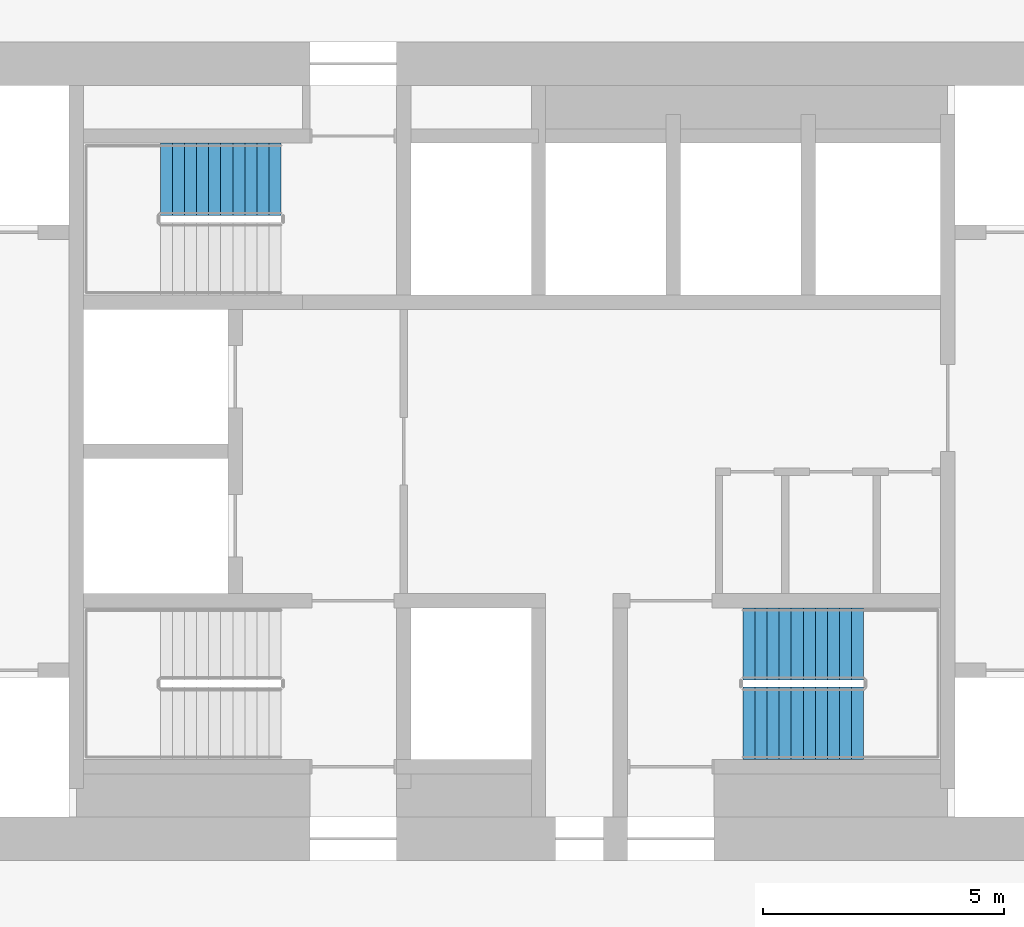
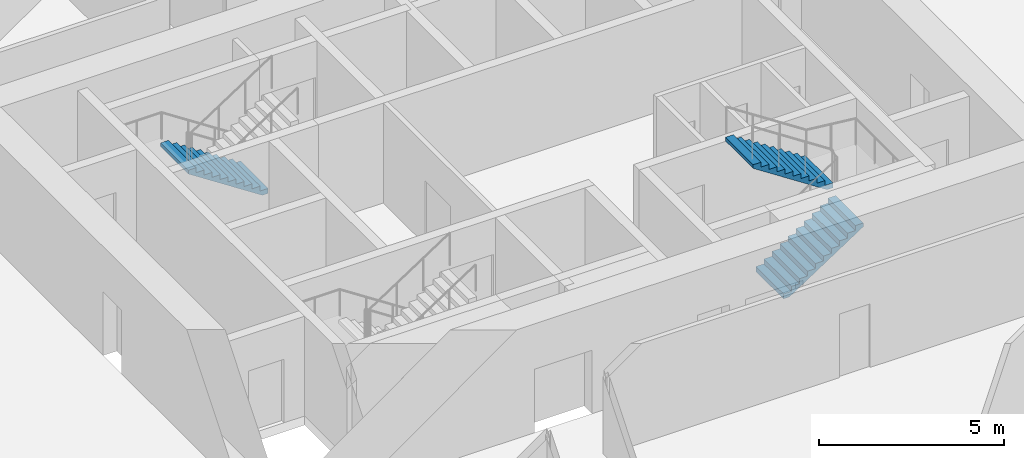
# One storey, part 8 of 9: 3 stair flights, 2 elements without a shape of their own.
"""IFC4 building model written with IfcOpenShell, lengths in metres."""

from ifc_helpers import new_model, si_unit, direction, frame, origin, place, context, subcontext, project, spatial, polyline, outline, extrude, material, type_object, element, aggregate, save


model = new_model("IFC4")

# Units and contexts
model_context = context("Model", 3, precision=1e-05, world=origin(), true_north=direction((0.0, 1.0)))
body_context = subcontext(model_context, "Body", "Model", "MODEL_VIEW")
ifc_project = project(units=[si_unit("LENGTHUNIT", "METRE"), si_unit("AREAUNIT", "SQUARE_METRE"), si_unit("VOLUMEUNIT", "CUBIC_METRE"), si_unit("PLANEANGLEUNIT", "RADIAN"), si_unit("MASSUNIT", "GRAM", prefix="KILO")], contexts=[model_context])

# Site, building, storey
site_placement = place(None, origin())
site = spatial("IfcSite", under=ifc_project, at=site_placement, CompositionType="ELEMENT")
building_placement = place(site_placement, origin())
building = spatial("IfcBuilding", under=site, at=building_placement, Name="Tracery Tower", CompositionType="ELEMENT")
storey_placement = place(building_placement, frame((0.0, 0.0, 154.800048828125)))
storey = spatial("IfcBuildingStorey", under=building, at=storey_placement, Name="L39", CompositionType="ELEMENT", Elevation=154.800048828125)

# Stair, stair flight
ifc_material_1 = material(Name="Concrete C32/40", Category="concrete")
stair_type = type_object("IfcStairType", Name="Core stair 22 risers", PredefinedType="HALF_TURN_STAIR", material=ifc_material_1)
stair_1_placement = place(storey_placement, origin())
stair_1 = element("IfcStair", 1, at=stair_1_placement, inside=storey, type_object=stair_type, Name="L39 stair ST3", PredefinedType="HALF_TURN_STAIR")
ifc_material_2 = material(Name="Concrete C32/40", Category="concrete")
stair_flight_type = type_object("IfcStairFlightType", Name="Core stair flight 11 risers", PredefinedType="STRAIGHT", material=ifc_material_2)
stair_flight_1_placement = place(storey_placement, frame((-4.800048828125, 5.64990234375, 0.0), z_axis=(0.0, 0.0, 1.0), x_axis=(-1.0, 0.0, 0.0)))
stair_flight_1 = element("IfcStairFlight", 2, at=stair_flight_1_placement, type_object=stair_flight_type, Name="ST3 flight 1", NumberOfRisers=11, NumberOfTreads=10, PredefinedType="STRAIGHT", RiserHeight=0.163636364, TreadLength=0.25, context=body_context, shape_type="SweptSolid", body=[
    extrude(outline(polyline([(0.0, 0.0), (0.0, 0.002685546875), (0.0, 0.00537109375), (0.0, 0.008056640625), (0.0, 0.0107421875), (0.0, 0.013427734375), (0.0, 0.01611328125), (0.0, 0.018798828125), (0.0, 0.021484375), (0.0, 0.024169921875), (0.0, 0.02685546875), (0.0, 0.029541015625), (0.0, 0.0322265625), (0.0, 0.034912109375), (0.0, 0.03759765625), (0.0, 0.040283203125), (0.0, 0.04296875), (0.0, 0.045654296875), (0.0, 0.04833984375), (0.0, 0.051025390625), (0.0, 0.0537109375), (0.0, 0.056396484375), (0.0, 0.05908203125), (0.0, 0.061767578125), (0.0, 0.064453125), (0.0, 0.067138671875), (0.0, 0.06982421875), (0.0, 0.072509765625), (0.0, 0.0751953125), (0.0, 0.077880859375), (0.0, 0.08056640625), (0.0, 0.083251953125), (0.0, 0.0859375), (0.0, 0.088623046875), (0.0, 0.09130859375), (0.0, 0.093994140625), (0.0, 0.0966796875), (0.0, 0.099365234375), (0.0, 0.10205078125), (0.0, 0.104736328125), (0.0, 0.107421875), (0.0, 0.10986328125), (0.0, 0.112548828125), (0.0, 0.115234375), (0.0, 0.117919921875), (0.0, 0.12060546875), (0.0, 0.123291015625), (0.0, 0.1259765625), (0.0, 0.128662109375), (0.0, 0.13134765625), (0.0, 0.134033203125), (0.0, 0.13671875), (0.0, 0.139404296875), (0.0, 0.14208984375), (0.0, 0.144775390625), (0.0, 0.1474609375), (0.0, 0.150146484375), (0.0, 0.15283203125), (0.0, 0.155517578125), (0.0, 0.158203125), (0.0, 0.160888671875), (0.0, 0.16357421875), (0.25, 0.16357421875), (0.25, 0.327392578125), (0.5, 0.327392578125), (0.5, 0.490966796875), (0.75, 0.490966796875), (0.75, 0.654541015625), (1.0, 0.654541015625), (1.0, 0.818115234375), (1.25, 0.818115234375), (1.25, 0.98193359375), (1.5, 0.98193359375), (1.5, 1.1455078125), (1.75, 1.1455078125), (1.75, 1.30908203125), (2.0, 1.30908203125), (2.0, 1.47265625), (2.25, 1.47265625), (2.25, 1.636474609375), (2.5, 1.636474609375), (2.5, 1.634521484375), (2.5, 1.63232421875), (2.5, 1.63037109375), (2.5, 1.62841796875), (2.5, 1.62646484375), (2.5, 1.62451171875), (2.5, 1.62255859375), (2.5, 1.62060546875), (2.5, 1.61865234375), (2.5, 1.61669921875), (2.5, 1.61474609375), (2.5, 1.61279296875), (2.5, 1.61083984375), (2.5, 1.60888671875), (2.5, 1.60693359375), (2.5, 1.60498046875), (2.5, 1.60302734375), (2.5, 1.60107421875), (2.5, 1.59912109375), (2.5, 1.59716796875), (2.5, 1.59521484375), (2.5, 1.59326171875), (2.5, 1.59130859375), (2.5, 1.58935546875), (2.5, 1.58740234375), (2.5, 1.58544921875), (2.5, 1.58349609375), (2.5, 1.58154296875), (2.5, 1.57958984375), (2.5, 1.57763671875), (2.5, 1.57568359375), (2.5, 1.573486328125), (2.5, 1.571533203125), (2.5, 1.569580078125), (2.5, 1.567626953125), (2.5, 1.565673828125), (2.5, 1.563720703125), (2.5, 1.561767578125), (2.5, 1.559814453125), (2.5, 1.557861328125), (2.5, 1.555908203125), (2.5, 1.553955078125), (2.5, 1.552001953125), (2.5, 1.550048828125), (2.5, 1.548095703125), (2.5, 1.546142578125), (2.5, 1.544189453125), (2.5, 1.542236328125), (2.5, 1.540283203125), (2.5, 1.538330078125), (2.5, 1.536376953125), (2.5, 1.534423828125), (2.5, 1.532470703125), (2.5, 1.530517578125), (2.5, 1.528564453125), (2.5, 1.526611328125), (2.5, 1.524658203125), (2.5, 1.522705078125), (2.5, 1.520751953125), (2.5, 1.518798828125), (2.5, 1.516845703125), (0.182861328125, 0.0), (0.0, 0.0)])), frame((0.0, 0.75, 0.0), z_axis=(0.0, -1.0, 0.0), x_axis=(1.0, 0.0, 0.0)), (0.0, 0.0, 1.0), 1.5),
])
aggregate(stair_1, [stair_flight_1])

# Stair, stair flights
stair_2_placement = place(storey_placement, origin())
stair_2 = element("IfcStair", 3, at=stair_2_placement, inside=storey, type_object=stair_type, Name="L39 stair ST2", PredefinedType="HALF_TURN_STAIR")
stair_flight_2_placement = place(storey_placement, frame((4.800048828125, -5.64990234375, 0.0), z_axis=(0.0, 0.0, 1.0), x_axis=(1.0, 0.0, 0.0)))
stair_flight_2 = element("IfcStairFlight", 4, at=stair_flight_2_placement, type_object=stair_flight_type, Name="ST2 flight 1", NumberOfRisers=11, NumberOfTreads=10, PredefinedType="STRAIGHT", RiserHeight=0.163636364, TreadLength=0.25, context=body_context, shape_type="SweptSolid", body=[
    extrude(outline(polyline([(0.0, 0.0), (0.0, 0.002685546875), (0.0, 0.00537109375), (0.0, 0.008056640625), (0.0, 0.0107421875), (0.0, 0.013427734375), (0.0, 0.01611328125), (0.0, 0.018798828125), (0.0, 0.021484375), (0.0, 0.024169921875), (0.0, 0.02685546875), (0.0, 0.029541015625), (0.0, 0.0322265625), (0.0, 0.034912109375), (0.0, 0.03759765625), (0.0, 0.040283203125), (0.0, 0.04296875), (0.0, 0.045654296875), (0.0, 0.04833984375), (0.0, 0.051025390625), (0.0, 0.0537109375), (0.0, 0.056396484375), (0.0, 0.05908203125), (0.0, 0.061767578125), (0.0, 0.064453125), (0.0, 0.067138671875), (0.0, 0.06982421875), (0.0, 0.072509765625), (0.0, 0.0751953125), (0.0, 0.077880859375), (0.0, 0.08056640625), (0.0, 0.083251953125), (0.0, 0.0859375), (0.0, 0.088623046875), (0.0, 0.09130859375), (0.0, 0.093994140625), (0.0, 0.0966796875), (0.0, 0.099365234375), (0.0, 0.10205078125), (0.0, 0.104736328125), (0.0, 0.107421875), (0.0, 0.10986328125), (0.0, 0.112548828125), (0.0, 0.115234375), (0.0, 0.117919921875), (0.0, 0.12060546875), (0.0, 0.123291015625), (0.0, 0.1259765625), (0.0, 0.128662109375), (0.0, 0.13134765625), (0.0, 0.134033203125), (0.0, 0.13671875), (0.0, 0.139404296875), (0.0, 0.14208984375), (0.0, 0.144775390625), (0.0, 0.1474609375), (0.0, 0.150146484375), (0.0, 0.15283203125), (0.0, 0.155517578125), (0.0, 0.158203125), (0.0, 0.160888671875), (0.0, 0.16357421875), (0.25, 0.16357421875), (0.25, 0.327392578125), (0.5, 0.327392578125), (0.5, 0.490966796875), (0.75, 0.490966796875), (0.75, 0.654541015625), (1.0, 0.654541015625), (1.0, 0.818115234375), (1.25, 0.818115234375), (1.25, 0.98193359375), (1.5, 0.98193359375), (1.5, 1.1455078125), (1.75, 1.1455078125), (1.75, 1.30908203125), (2.0, 1.30908203125), (2.0, 1.47265625), (2.25, 1.47265625), (2.25, 1.636474609375), (2.5, 1.636474609375), (2.5, 1.634521484375), (2.5, 1.63232421875), (2.5, 1.63037109375), (2.5, 1.62841796875), (2.5, 1.62646484375), (2.5, 1.62451171875), (2.5, 1.62255859375), (2.5, 1.62060546875), (2.5, 1.61865234375), (2.5, 1.61669921875), (2.5, 1.61474609375), (2.5, 1.61279296875), (2.5, 1.61083984375), (2.5, 1.60888671875), (2.5, 1.60693359375), (2.5, 1.60498046875), (2.5, 1.60302734375), (2.5, 1.60107421875), (2.5, 1.59912109375), (2.5, 1.59716796875), (2.5, 1.59521484375), (2.5, 1.59326171875), (2.5, 1.59130859375), (2.5, 1.58935546875), (2.5, 1.58740234375), (2.5, 1.58544921875), (2.5, 1.58349609375), (2.5, 1.58154296875), (2.5, 1.57958984375), (2.5, 1.57763671875), (2.5, 1.57568359375), (2.5, 1.573486328125), (2.5, 1.571533203125), (2.5, 1.569580078125), (2.5, 1.567626953125), (2.5, 1.565673828125), (2.5, 1.563720703125), (2.5, 1.561767578125), (2.5, 1.559814453125), (2.5, 1.557861328125), (2.5, 1.555908203125), (2.5, 1.553955078125), (2.5, 1.552001953125), (2.5, 1.550048828125), (2.5, 1.548095703125), (2.5, 1.546142578125), (2.5, 1.544189453125), (2.5, 1.542236328125), (2.5, 1.540283203125), (2.5, 1.538330078125), (2.5, 1.536376953125), (2.5, 1.534423828125), (2.5, 1.532470703125), (2.5, 1.530517578125), (2.5, 1.528564453125), (2.5, 1.526611328125), (2.5, 1.524658203125), (2.5, 1.522705078125), (2.5, 1.520751953125), (2.5, 1.518798828125), (2.5, 1.516845703125), (0.182861328125, 0.0), (0.0, 0.0)])), frame((0.0, 0.75, 0.0), z_axis=(0.0, -1.0, 0.0), x_axis=(1.0, 0.0, 0.0)), (0.0, 0.0, 1.0), 1.5),
])
stair_flight_3_placement = place(storey_placement, frame((7.300048828125, -4.0, 1.800048828125), z_axis=(0.0, 0.0, 1.0), x_axis=(-1.0, 0.0, 0.0)))
stair_flight_3 = element("IfcStairFlight", 5, at=stair_flight_3_placement, type_object=stair_flight_type, Name="ST2 flight 2", NumberOfRisers=11, NumberOfTreads=10, PredefinedType="STRAIGHT", RiserHeight=0.163636364, TreadLength=0.25, context=body_context, shape_type="SweptSolid", body=[
    extrude(outline(polyline([(0.0, 0.0), (0.0, 0.002685546875), (0.0, 0.00537109375), (0.0, 0.008056640625), (0.0, 0.0107421875), (0.0, 0.013427734375), (0.0, 0.01611328125), (0.0, 0.018798828125), (0.0, 0.021484375), (0.0, 0.024169921875), (0.0, 0.02685546875), (0.0, 0.029541015625), (0.0, 0.0322265625), (0.0, 0.034912109375), (0.0, 0.03759765625), (0.0, 0.040283203125), (0.0, 0.04296875), (0.0, 0.045654296875), (0.0, 0.04833984375), (0.0, 0.051025390625), (0.0, 0.0537109375), (0.0, 0.056396484375), (0.0, 0.05908203125), (0.0, 0.061767578125), (0.0, 0.064453125), (0.0, 0.067138671875), (0.0, 0.06982421875), (0.0, 0.072509765625), (0.0, 0.0751953125), (0.0, 0.077880859375), (0.0, 0.08056640625), (0.0, 0.083251953125), (0.0, 0.0859375), (0.0, 0.088623046875), (0.0, 0.09130859375), (0.0, 0.093994140625), (0.0, 0.0966796875), (0.0, 0.099365234375), (0.0, 0.10205078125), (0.0, 0.104736328125), (0.0, 0.107421875), (0.0, 0.10986328125), (0.0, 0.112548828125), (0.0, 0.115234375), (0.0, 0.117919921875), (0.0, 0.12060546875), (0.0, 0.123291015625), (0.0, 0.1259765625), (0.0, 0.128662109375), (0.0, 0.13134765625), (0.0, 0.134033203125), (0.0, 0.13671875), (0.0, 0.139404296875), (0.0, 0.14208984375), (0.0, 0.144775390625), (0.0, 0.1474609375), (0.0, 0.150146484375), (0.0, 0.15283203125), (0.0, 0.155517578125), (0.0, 0.158203125), (0.0, 0.160888671875), (0.0, 0.16357421875), (0.25, 0.16357421875), (0.25, 0.327392578125), (0.5, 0.327392578125), (0.5, 0.490966796875), (0.75, 0.490966796875), (0.75, 0.654541015625), (1.0, 0.654541015625), (1.0, 0.818115234375), (1.25, 0.818115234375), (1.25, 0.98193359375), (1.5, 0.98193359375), (1.5, 1.1455078125), (1.75, 1.1455078125), (1.75, 1.30908203125), (2.0, 1.30908203125), (2.0, 1.47265625), (2.25, 1.47265625), (2.25, 1.636474609375), (2.5, 1.636474609375), (2.5, 1.634521484375), (2.5, 1.63232421875), (2.5, 1.63037109375), (2.5, 1.62841796875), (2.5, 1.62646484375), (2.5, 1.62451171875), (2.5, 1.62255859375), (2.5, 1.62060546875), (2.5, 1.61865234375), (2.5, 1.61669921875), (2.5, 1.61474609375), (2.5, 1.61279296875), (2.5, 1.61083984375), (2.5, 1.60888671875), (2.5, 1.60693359375), (2.5, 1.60498046875), (2.5, 1.60302734375), (2.5, 1.60107421875), (2.5, 1.59912109375), (2.5, 1.59716796875), (2.5, 1.59521484375), (2.5, 1.59326171875), (2.5, 1.59130859375), (2.5, 1.58935546875), (2.5, 1.58740234375), (2.5, 1.58544921875), (2.5, 1.58349609375), (2.5, 1.58154296875), (2.5, 1.57958984375), (2.5, 1.57763671875), (2.5, 1.57568359375), (2.5, 1.573486328125), (2.5, 1.571533203125), (2.5, 1.569580078125), (2.5, 1.567626953125), (2.5, 1.565673828125), (2.5, 1.563720703125), (2.5, 1.561767578125), (2.5, 1.559814453125), (2.5, 1.557861328125), (2.5, 1.555908203125), (2.5, 1.553955078125), (2.5, 1.552001953125), (2.5, 1.550048828125), (2.5, 1.548095703125), (2.5, 1.546142578125), (2.5, 1.544189453125), (2.5, 1.542236328125), (2.5, 1.540283203125), (2.5, 1.538330078125), (2.5, 1.536376953125), (2.5, 1.534423828125), (2.5, 1.532470703125), (2.5, 1.530517578125), (2.5, 1.528564453125), (2.5, 1.526611328125), (2.5, 1.524658203125), (2.5, 1.522705078125), (2.5, 1.520751953125), (2.5, 1.518798828125), (2.5, 1.516845703125), (0.182861328125, 0.0), (0.0, 0.0)])), frame((0.0, 0.75, 0.0), z_axis=(0.0, -1.0, 0.0), x_axis=(1.0, 0.0, 0.0)), (0.0, 0.0, 1.0), 1.5),
])
aggregate(stair_2, [stair_flight_2, stair_flight_3])

save(model, "model.ifc")
